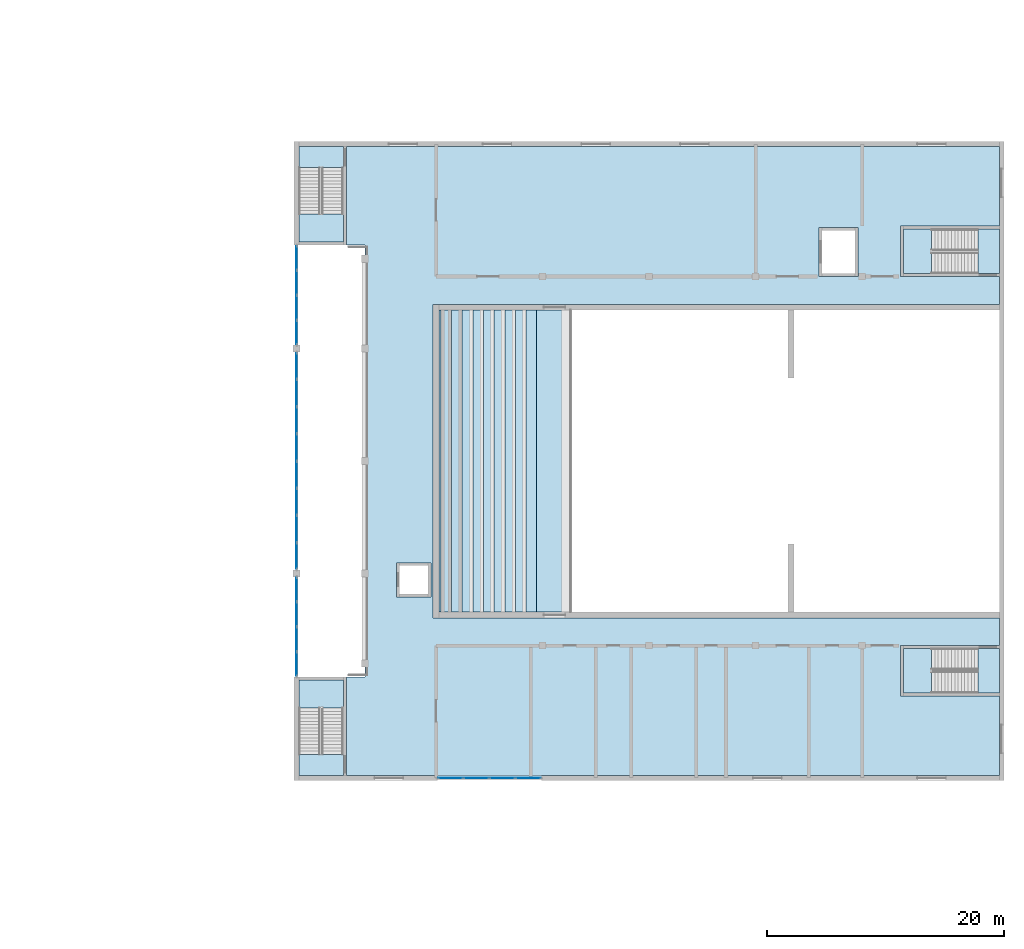
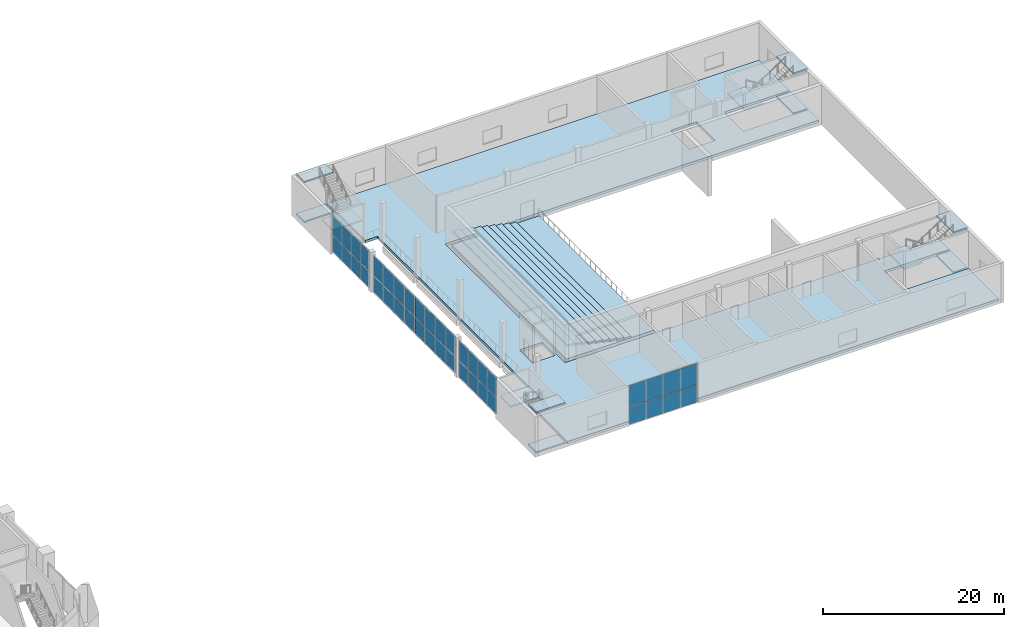
# One storey, part 14 of 43: 40 plates, 23 slabs, 8 elements without a shape of their own.
"""IFC4 building model written with IfcOpenShell, lengths in metres."""

from ifc_helpers import new_model, si_unit, direction, frame, origin, origin_2d, place, context, subcontext, project, spatial, polyline, rectangle, outline, extrude, material, layer, layer_set, type_object, element, aggregate, save


model = new_model("IFC4")

# Units and contexts
model_context = context("Model", 3, precision=1e-05, world=origin(), true_north=direction((0.0, 1.0)))
body_context = subcontext(model_context, "Body", "Model", "MODEL_VIEW")
ifc_project = project(units=[si_unit("LENGTHUNIT", "METRE"), si_unit("AREAUNIT", "SQUARE_METRE"), si_unit("VOLUMEUNIT", "CUBIC_METRE"), si_unit("PLANEANGLEUNIT", "RADIAN"), si_unit("MASSUNIT", "GRAM", prefix="KILO")], contexts=[model_context])

# Site, building, storey
site_placement = place(None, origin())
site = spatial("IfcSite", under=ifc_project, at=site_placement, CompositionType="ELEMENT")
building_placement = place(site_placement, origin())
building = spatial("IfcBuilding", under=site, at=building_placement, Name="Hunhe Ridgeline Campus", CompositionType="ELEMENT")
storey_placement = place(building_placement, frame((0.0, 0.0, 11.39990234375)))
storey = spatial("IfcBuildingStorey", under=building, at=storey_placement, Name="L02", CompositionType="ELEMENT", Elevation=11.39990234375)

# Curtain wall, plates
ifc_material_1 = material(Name="Aluminium and glass", Category="aluminium")
curtain_wall_type = type_object("IfcCurtainWallType", Name="Hall foyer curtain wall CW-H", PredefinedType="NOTDEFINED", material=ifc_material_1)
curtain_wall_1_placement = place(storey_placement, origin())
curtain_wall_1 = element("IfcCurtainWall", 1, at=curtain_wall_1_placement, inside=storey, type_object=curtain_wall_type, Name="L02 foyer curtain wall 7", PredefinedType="NOTDEFINED")
ifc_material_2 = material(Name="Clear glass", Category="glass")
ifc_layer_1 = layer(ifc_material_2, 0.031982421875)
ifc_layer_set_1 = layer_set([ifc_layer_1], Name="CW-H clear glass panel 32")
plate_type = type_object("IfcPlateType", Name="CW-H clear glass panel 32", PredefinedType="CURTAIN_PANEL", material=ifc_layer_set_1)
plate_1_placement = place(storey_placement, frame((150.199951171875, 32.326171875, 0.080078125), z_axis=(0.0, 0.0, 1.0), x_axis=(0.0, 1.0, 0.0)))
plate_1 = element("IfcPlate", 2, at=plate_1_placement, type_object=plate_type, Name="HCW1 panel 1.1", PredefinedType="CURTAIN_PANEL", context=body_context, shape_type="SweptSolid", body=[
    extrude(rectangle(XDim=1.992431640625, YDim=0.028076171875, at=origin_2d()), origin(), (0.0, 0.0, 1.0), 2.152587890625),
])
plate_2_placement = place(storey_placement, frame((150.199951171875, 32.326171875, 2.3125), z_axis=(0.0, 0.0, 1.0), x_axis=(0.0, 1.0, 0.0)))
plate_2 = element("IfcPlate", 3, at=plate_2_placement, type_object=plate_type, Name="HCW1 panel 1.2", PredefinedType="CURTAIN_PANEL", context=body_context, shape_type="SweptSolid", body=[
    extrude(rectangle(XDim=1.992431640625, YDim=0.028076171875, at=origin_2d()), origin(), (0.0, 0.0, 1.0), 2.657470703125),
])
plate_3_placement = place(storey_placement, frame((150.199951171875, 34.418701171875, 0.080078125), z_axis=(0.0, 0.0, 1.0), x_axis=(0.0, 1.0, 0.0)))
plate_3 = element("IfcPlate", 4, at=plate_3_placement, type_object=plate_type, Name="HCW1 panel 2.1", PredefinedType="CURTAIN_PANEL", context=body_context, shape_type="SweptSolid", body=[
    extrude(rectangle(XDim=2.032470703125, YDim=0.028076171875, at=origin_2d()), origin(), (0.0, 0.0, 1.0), 2.152587890625),
])
plate_4_placement = place(storey_placement, frame((150.199951171875, 34.418701171875, 2.3125), z_axis=(0.0, 0.0, 1.0), x_axis=(0.0, 1.0, 0.0)))
plate_4 = element("IfcPlate", 5, at=plate_4_placement, type_object=plate_type, Name="HCW1 panel 2.2", PredefinedType="CURTAIN_PANEL", context=body_context, shape_type="SweptSolid", body=[
    extrude(rectangle(XDim=2.032470703125, YDim=0.028076171875, at=origin_2d()), origin(), (0.0, 0.0, 1.0), 2.657470703125),
])
plate_5_placement = place(storey_placement, frame((150.199951171875, 36.53125, 0.080078125), z_axis=(0.0, 0.0, 1.0), x_axis=(0.0, 1.0, 0.0)))
plate_5 = element("IfcPlate", 6, at=plate_5_placement, type_object=plate_type, Name="HCW1 panel 3.1", PredefinedType="CURTAIN_PANEL", context=body_context, shape_type="SweptSolid", body=[
    extrude(rectangle(XDim=2.032470703125, YDim=0.028076171875, at=origin_2d()), origin(), (0.0, 0.0, 1.0), 2.152587890625),
])
plate_6_placement = place(storey_placement, frame((150.199951171875, 36.53125, 2.3125), z_axis=(0.0, 0.0, 1.0), x_axis=(0.0, 1.0, 0.0)))
plate_6 = element("IfcPlate", 7, at=plate_6_placement, type_object=plate_type, Name="HCW1 panel 3.2", PredefinedType="CURTAIN_PANEL", context=body_context, shape_type="SweptSolid", body=[
    extrude(rectangle(XDim=2.032470703125, YDim=0.028076171875, at=origin_2d()), origin(), (0.0, 0.0, 1.0), 2.657470703125),
])
plate_7_placement = place(storey_placement, frame((150.199951171875, 38.623779296875, 0.080078125), z_axis=(0.0, 0.0, 1.0), x_axis=(0.0, 1.0, 0.0)))
plate_7 = element("IfcPlate", 8, at=plate_7_placement, type_object=plate_type, Name="HCW1 panel 4.1", PredefinedType="CURTAIN_PANEL", context=body_context, shape_type="SweptSolid", body=[
    extrude(rectangle(XDim=1.992431640625, YDim=0.028076171875, at=origin_2d()), origin(), (0.0, 0.0, 1.0), 2.152587890625),
])
plate_8_placement = place(storey_placement, frame((150.199951171875, 38.623779296875, 2.3125), z_axis=(0.0, 0.0, 1.0), x_axis=(0.0, 1.0, 0.0)))
plate_8 = element("IfcPlate", 9, at=plate_8_placement, type_object=plate_type, Name="HCW1 panel 4.2", PredefinedType="CURTAIN_PANEL", context=body_context, shape_type="SweptSolid", body=[
    extrude(rectangle(XDim=1.992431640625, YDim=0.028076171875, at=origin_2d()), origin(), (0.0, 0.0, 1.0), 2.657470703125),
])
aggregate(curtain_wall_1, [plate_1, plate_2, plate_3, plate_4, plate_5, plate_6, plate_7, plate_8])

curtain_wall_2_placement = place(storey_placement, origin())
curtain_wall_2 = element("IfcCurtainWall", 10, at=curtain_wall_2_placement, inside=storey, type_object=curtain_wall_type, Name="L02 foyer curtain wall 8", PredefinedType="NOTDEFINED")
plate_9_placement = place(storey_placement, frame((150.199951171875, 41.469970703125, 0.080078125), z_axis=(0.0, 0.0, 1.0), x_axis=(0.0, 1.0, 0.0)))
plate_9 = element("IfcPlate", 11, at=plate_9_placement, type_object=plate_type, Name="HCW1 panel 1.1", PredefinedType="CURTAIN_PANEL", context=body_context, shape_type="SweptSolid", body=[
    extrude(rectangle(XDim=2.179931640625, YDim=0.028076171875, at=origin_2d()), origin(), (0.0, 0.0, 1.0), 2.152587890625),
])
plate_10_placement = place(storey_placement, frame((150.199951171875, 41.469970703125, 2.3125), z_axis=(0.0, 0.0, 1.0), x_axis=(0.0, 1.0, 0.0)))
plate_10 = element("IfcPlate", 12, at=plate_10_placement, type_object=plate_type, Name="HCW1 panel 1.2", PredefinedType="CURTAIN_PANEL", context=body_context, shape_type="SweptSolid", body=[
    extrude(rectangle(XDim=2.179931640625, YDim=0.028076171875, at=origin_2d()), origin(), (0.0, 0.0, 1.0), 2.657470703125),
])
plate_11_placement = place(storey_placement, frame((150.199951171875, 43.75, 0.080078125), z_axis=(0.0, 0.0, 1.0), x_axis=(0.0, 1.0, 0.0)))
plate_11 = element("IfcPlate", 13, at=plate_11_placement, type_object=plate_type, Name="HCW1 panel 2.1", PredefinedType="CURTAIN_PANEL", context=body_context, shape_type="SweptSolid", body=[
    extrude(rectangle(XDim=2.219970703125, YDim=0.028076171875, at=origin_2d()), origin(), (0.0, 0.0, 1.0), 2.152587890625),
])
plate_12_placement = place(storey_placement, frame((150.199951171875, 43.75, 2.3125), z_axis=(0.0, 0.0, 1.0), x_axis=(0.0, 1.0, 0.0)))
plate_12 = element("IfcPlate", 14, at=plate_12_placement, type_object=plate_type, Name="HCW1 panel 2.2", PredefinedType="CURTAIN_PANEL", context=body_context, shape_type="SweptSolid", body=[
    extrude(rectangle(XDim=2.219970703125, YDim=0.028076171875, at=origin_2d()), origin(), (0.0, 0.0, 1.0), 2.657470703125),
])
plate_13_placement = place(storey_placement, frame((150.199951171875, 46.050048828125, 0.080078125), z_axis=(0.0, 0.0, 1.0), x_axis=(0.0, 1.0, 0.0)))
plate_13 = element("IfcPlate", 15, at=plate_13_placement, type_object=plate_type, Name="HCW1 panel 3.1", PredefinedType="CURTAIN_PANEL", context=body_context, shape_type="SweptSolid", body=[
    extrude(rectangle(XDim=2.219970703125, YDim=0.028076171875, at=origin_2d()), origin(), (0.0, 0.0, 1.0), 2.152587890625),
])
plate_14_placement = place(storey_placement, frame((150.199951171875, 46.050048828125, 2.3125), z_axis=(0.0, 0.0, 1.0), x_axis=(0.0, 1.0, 0.0)))
plate_14 = element("IfcPlate", 16, at=plate_14_placement, type_object=plate_type, Name="HCW1 panel 3.2", PredefinedType="CURTAIN_PANEL", context=body_context, shape_type="SweptSolid", body=[
    extrude(rectangle(XDim=2.219970703125, YDim=0.028076171875, at=origin_2d()), origin(), (0.0, 0.0, 1.0), 2.657470703125),
])
plate_15_placement = place(storey_placement, frame((150.199951171875, 48.35009765625, 0.080078125), z_axis=(0.0, 0.0, 1.0), x_axis=(0.0, 1.0, 0.0)))
plate_15 = element("IfcPlate", 17, at=plate_15_placement, type_object=plate_type, Name="HCW1 panel 4.1", PredefinedType="CURTAIN_PANEL", context=body_context, shape_type="SweptSolid", body=[
    extrude(rectangle(XDim=2.219970703125, YDim=0.028076171875, at=origin_2d()), origin(), (0.0, 0.0, 1.0), 2.152587890625),
])
plate_16_placement = place(storey_placement, frame((150.199951171875, 48.35009765625, 2.3125), z_axis=(0.0, 0.0, 1.0), x_axis=(0.0, 1.0, 0.0)))
plate_16 = element("IfcPlate", 18, at=plate_16_placement, type_object=plate_type, Name="HCW1 panel 4.2", PredefinedType="CURTAIN_PANEL", context=body_context, shape_type="SweptSolid", body=[
    extrude(rectangle(XDim=2.219970703125, YDim=0.028076171875, at=origin_2d()), origin(), (0.0, 0.0, 1.0), 2.657470703125),
])
plate_17_placement = place(storey_placement, frame((150.199951171875, 50.64990234375, 0.080078125), z_axis=(0.0, 0.0, 1.0), x_axis=(0.0, 1.0, 0.0)))
plate_17 = element("IfcPlate", 19, at=plate_17_placement, type_object=plate_type, Name="HCW1 panel 5.1", PredefinedType="CURTAIN_PANEL", context=body_context, shape_type="SweptSolid", body=[
    extrude(rectangle(XDim=2.219970703125, YDim=0.028076171875, at=origin_2d()), origin(), (0.0, 0.0, 1.0), 2.152587890625),
])
plate_18_placement = place(storey_placement, frame((150.199951171875, 50.64990234375, 2.3125), z_axis=(0.0, 0.0, 1.0), x_axis=(0.0, 1.0, 0.0)))
plate_18 = element("IfcPlate", 20, at=plate_18_placement, type_object=plate_type, Name="HCW1 panel 5.2", PredefinedType="CURTAIN_PANEL", context=body_context, shape_type="SweptSolid", body=[
    extrude(rectangle(XDim=2.219970703125, YDim=0.028076171875, at=origin_2d()), origin(), (0.0, 0.0, 1.0), 2.657470703125),
])
plate_19_placement = place(storey_placement, frame((150.199951171875, 52.949951171875, 0.080078125), z_axis=(0.0, 0.0, 1.0), x_axis=(0.0, 1.0, 0.0)))
plate_19 = element("IfcPlate", 21, at=plate_19_placement, type_object=plate_type, Name="HCW1 panel 6.1", PredefinedType="CURTAIN_PANEL", context=body_context, shape_type="SweptSolid", body=[
    extrude(rectangle(XDim=2.219970703125, YDim=0.028076171875, at=origin_2d()), origin(), (0.0, 0.0, 1.0), 2.152587890625),
])
plate_20_placement = place(storey_placement, frame((150.199951171875, 52.949951171875, 2.3125), z_axis=(0.0, 0.0, 1.0), x_axis=(0.0, 1.0, 0.0)))
plate_20 = element("IfcPlate", 22, at=plate_20_placement, type_object=plate_type, Name="HCW1 panel 6.2", PredefinedType="CURTAIN_PANEL", context=body_context, shape_type="SweptSolid", body=[
    extrude(rectangle(XDim=2.219970703125, YDim=0.028076171875, at=origin_2d()), origin(), (0.0, 0.0, 1.0), 2.657470703125),
])
plate_21_placement = place(storey_placement, frame((150.199951171875, 55.25, 0.080078125), z_axis=(0.0, 0.0, 1.0), x_axis=(0.0, 1.0, 0.0)))
plate_21 = element("IfcPlate", 23, at=plate_21_placement, type_object=plate_type, Name="HCW1 panel 7.1", PredefinedType="CURTAIN_PANEL", context=body_context, shape_type="SweptSolid", body=[
    extrude(rectangle(XDim=2.219970703125, YDim=0.028076171875, at=origin_2d()), origin(), (0.0, 0.0, 1.0), 2.152587890625),
])
plate_22_placement = place(storey_placement, frame((150.199951171875, 55.25, 2.3125), z_axis=(0.0, 0.0, 1.0), x_axis=(0.0, 1.0, 0.0)))
plate_22 = element("IfcPlate", 24, at=plate_22_placement, type_object=plate_type, Name="HCW1 panel 7.2", PredefinedType="CURTAIN_PANEL", context=body_context, shape_type="SweptSolid", body=[
    extrude(rectangle(XDim=2.219970703125, YDim=0.028076171875, at=origin_2d()), origin(), (0.0, 0.0, 1.0), 2.657470703125),
])
plate_23_placement = place(storey_placement, frame((150.199951171875, 57.530029296875, 0.080078125), z_axis=(0.0, 0.0, 1.0), x_axis=(0.0, 1.0, 0.0)))
plate_23 = element("IfcPlate", 25, at=plate_23_placement, type_object=plate_type, Name="HCW1 panel 8.1", PredefinedType="CURTAIN_PANEL", context=body_context, shape_type="SweptSolid", body=[
    extrude(rectangle(XDim=2.179931640625, YDim=0.028076171875, at=origin_2d()), origin(), (0.0, 0.0, 1.0), 2.152587890625),
])
plate_24_placement = place(storey_placement, frame((150.199951171875, 57.530029296875, 2.3125), z_axis=(0.0, 0.0, 1.0), x_axis=(0.0, 1.0, 0.0)))
plate_24 = element("IfcPlate", 26, at=plate_24_placement, type_object=plate_type, Name="HCW1 panel 8.2", PredefinedType="CURTAIN_PANEL", context=body_context, shape_type="SweptSolid", body=[
    extrude(rectangle(XDim=2.179931640625, YDim=0.028076171875, at=origin_2d()), origin(), (0.0, 0.0, 1.0), 2.657470703125),
])
aggregate(curtain_wall_2, [plate_9, plate_10, plate_11, plate_12, plate_13, plate_14, plate_15, plate_16, plate_17, plate_18, plate_19, plate_20, plate_21, plate_22, plate_23, plate_24])

curtain_wall_3_placement = place(storey_placement, origin())
curtain_wall_3 = element("IfcCurtainWall", 27, at=curtain_wall_3_placement, inside=storey, type_object=curtain_wall_type, Name="L02 foyer curtain wall 9", PredefinedType="NOTDEFINED")
plate_25_placement = place(storey_placement, frame((150.199951171875, 60.376220703125, 0.080078125), z_axis=(0.0, 0.0, 1.0), x_axis=(0.0, 1.0, 0.0)))
plate_25 = element("IfcPlate", 28, at=plate_25_placement, type_object=plate_type, Name="HCW1 panel 1.1", PredefinedType="CURTAIN_PANEL", context=body_context, shape_type="SweptSolid", body=[
    extrude(rectangle(XDim=1.992431640625, YDim=0.028076171875, at=origin_2d()), origin(), (0.0, 0.0, 1.0), 2.152587890625),
])
plate_26_placement = place(storey_placement, frame((150.199951171875, 60.376220703125, 2.3125), z_axis=(0.0, 0.0, 1.0), x_axis=(0.0, 1.0, 0.0)))
plate_26 = element("IfcPlate", 29, at=plate_26_placement, type_object=plate_type, Name="HCW1 panel 1.2", PredefinedType="CURTAIN_PANEL", context=body_context, shape_type="SweptSolid", body=[
    extrude(rectangle(XDim=1.992431640625, YDim=0.028076171875, at=origin_2d()), origin(), (0.0, 0.0, 1.0), 2.657470703125),
])
plate_27_placement = place(storey_placement, frame((150.199951171875, 62.46875, 0.080078125), z_axis=(0.0, 0.0, 1.0), x_axis=(0.0, 1.0, 0.0)))
plate_27 = element("IfcPlate", 30, at=plate_27_placement, type_object=plate_type, Name="HCW1 panel 2.1", PredefinedType="CURTAIN_PANEL", context=body_context, shape_type="SweptSolid", body=[
    extrude(rectangle(XDim=2.032470703125, YDim=0.028076171875, at=origin_2d()), origin(), (0.0, 0.0, 1.0), 2.152587890625),
])
plate_28_placement = place(storey_placement, frame((150.199951171875, 62.46875, 2.3125), z_axis=(0.0, 0.0, 1.0), x_axis=(0.0, 1.0, 0.0)))
plate_28 = element("IfcPlate", 31, at=plate_28_placement, type_object=plate_type, Name="HCW1 panel 2.2", PredefinedType="CURTAIN_PANEL", context=body_context, shape_type="SweptSolid", body=[
    extrude(rectangle(XDim=2.032470703125, YDim=0.028076171875, at=origin_2d()), origin(), (0.0, 0.0, 1.0), 2.657470703125),
])
plate_29_placement = place(storey_placement, frame((150.199951171875, 64.581298828125, 0.080078125), z_axis=(0.0, 0.0, 1.0), x_axis=(0.0, 1.0, 0.0)))
plate_29 = element("IfcPlate", 32, at=plate_29_placement, type_object=plate_type, Name="HCW1 panel 3.1", PredefinedType="CURTAIN_PANEL", context=body_context, shape_type="SweptSolid", body=[
    extrude(rectangle(XDim=2.032470703125, YDim=0.028076171875, at=origin_2d()), origin(), (0.0, 0.0, 1.0), 2.152587890625),
])
plate_30_placement = place(storey_placement, frame((150.199951171875, 64.581298828125, 2.3125), z_axis=(0.0, 0.0, 1.0), x_axis=(0.0, 1.0, 0.0)))
plate_30 = element("IfcPlate", 33, at=plate_30_placement, type_object=plate_type, Name="HCW1 panel 3.2", PredefinedType="CURTAIN_PANEL", context=body_context, shape_type="SweptSolid", body=[
    extrude(rectangle(XDim=2.032470703125, YDim=0.028076171875, at=origin_2d()), origin(), (0.0, 0.0, 1.0), 2.657470703125),
])
plate_31_placement = place(storey_placement, frame((150.199951171875, 66.673828125, 0.080078125), z_axis=(0.0, 0.0, 1.0), x_axis=(0.0, 1.0, 0.0)))
plate_31 = element("IfcPlate", 34, at=plate_31_placement, type_object=plate_type, Name="HCW1 panel 4.1", PredefinedType="CURTAIN_PANEL", context=body_context, shape_type="SweptSolid", body=[
    extrude(rectangle(XDim=1.992431640625, YDim=0.028076171875, at=origin_2d()), origin(), (0.0, 0.0, 1.0), 2.152587890625),
])
plate_32_placement = place(storey_placement, frame((150.199951171875, 66.673828125, 2.3125), z_axis=(0.0, 0.0, 1.0), x_axis=(0.0, 1.0, 0.0)))
plate_32 = element("IfcPlate", 35, at=plate_32_placement, type_object=plate_type, Name="HCW1 panel 4.2", PredefinedType="CURTAIN_PANEL", context=body_context, shape_type="SweptSolid", body=[
    extrude(rectangle(XDim=1.992431640625, YDim=0.028076171875, at=origin_2d()), origin(), (0.0, 0.0, 1.0), 2.657470703125),
])
aggregate(curtain_wall_3, [plate_25, plate_26, plate_27, plate_28, plate_29, plate_30, plate_31, plate_32])

curtain_wall_4_placement = place(storey_placement, origin())
curtain_wall_4 = element("IfcCurtainWall", 36, at=curtain_wall_4_placement, inside=storey, type_object=curtain_wall_type, Name="L02 south curtain wall 10", PredefinedType="NOTDEFINED")
plate_33_placement = place(storey_placement, frame((163.219970703125, 22.699951171875, -0.27001953125), z_axis=(0.0, 0.0, 1.0), x_axis=(1.0, 0.0, 0.0)))
plate_33 = element("IfcPlate", 37, at=plate_33_placement, type_object=plate_type, Name="HCW1 panel 1.1", PredefinedType="CURTAIN_PANEL", context=body_context, shape_type="SweptSolid", body=[
    extrude(rectangle(XDim=2.080078125, YDim=0.028076171875, at=origin_2d()), origin(), (0.0, 0.0, 1.0), 2.31005859375),
])
plate_34_placement = place(storey_placement, frame((163.219970703125, 22.699951171875, 2.1201171875), z_axis=(0.0, 0.0, 1.0), x_axis=(1.0, 0.0, 0.0)))
plate_34 = element("IfcPlate", 38, at=plate_34_placement, type_object=plate_type, Name="HCW1 panel 1.2", PredefinedType="CURTAIN_PANEL", context=body_context, shape_type="SweptSolid", body=[
    extrude(rectangle(XDim=2.080078125, YDim=0.028076171875, at=origin_2d()), origin(), (0.0, 0.0, 1.0), 2.85009765625),
])
plate_35_placement = place(storey_placement, frame((165.39990234375, 22.699951171875, -0.27001953125), z_axis=(0.0, 0.0, 1.0), x_axis=(1.0, 0.0, 0.0)))
plate_35 = element("IfcPlate", 39, at=plate_35_placement, type_object=plate_type, Name="HCW1 panel 2.1", PredefinedType="CURTAIN_PANEL", context=body_context, shape_type="SweptSolid", body=[
    extrude(rectangle(XDim=2.1201171875, YDim=0.028076171875, at=origin_2d()), origin(), (0.0, 0.0, 1.0), 2.31005859375),
])
plate_36_placement = place(storey_placement, frame((165.39990234375, 22.699951171875, 2.1201171875), z_axis=(0.0, 0.0, 1.0), x_axis=(1.0, 0.0, 0.0)))
plate_36 = element("IfcPlate", 40, at=plate_36_placement, type_object=plate_type, Name="HCW1 panel 2.2", PredefinedType="CURTAIN_PANEL", context=body_context, shape_type="SweptSolid", body=[
    extrude(rectangle(XDim=2.1201171875, YDim=0.028076171875, at=origin_2d()), origin(), (0.0, 0.0, 1.0), 2.85009765625),
])
plate_37_placement = place(storey_placement, frame((167.60009765625, 22.699951171875, -0.27001953125), z_axis=(0.0, 0.0, 1.0), x_axis=(1.0, 0.0, 0.0)))
plate_37 = element("IfcPlate", 41, at=plate_37_placement, type_object=plate_type, Name="HCW1 panel 3.1", PredefinedType="CURTAIN_PANEL", context=body_context, shape_type="SweptSolid", body=[
    extrude(rectangle(XDim=2.1201171875, YDim=0.028076171875, at=origin_2d()), origin(), (0.0, 0.0, 1.0), 2.31005859375),
])
plate_38_placement = place(storey_placement, frame((167.60009765625, 22.699951171875, 2.1201171875), z_axis=(0.0, 0.0, 1.0), x_axis=(1.0, 0.0, 0.0)))
plate_38 = element("IfcPlate", 42, at=plate_38_placement, type_object=plate_type, Name="HCW1 panel 3.2", PredefinedType="CURTAIN_PANEL", context=body_context, shape_type="SweptSolid", body=[
    extrude(rectangle(XDim=2.1201171875, YDim=0.028076171875, at=origin_2d()), origin(), (0.0, 0.0, 1.0), 2.85009765625),
])
plate_39_placement = place(storey_placement, frame((169.780029296875, 22.699951171875, -0.27001953125), z_axis=(0.0, 0.0, 1.0), x_axis=(1.0, 0.0, 0.0)))
plate_39 = element("IfcPlate", 43, at=plate_39_placement, type_object=plate_type, Name="HCW1 panel 4.1", PredefinedType="CURTAIN_PANEL", context=body_context, shape_type="SweptSolid", body=[
    extrude(rectangle(XDim=2.080078125, YDim=0.028076171875, at=origin_2d()), origin(), (0.0, 0.0, 1.0), 2.31005859375),
])
plate_40_placement = place(storey_placement, frame((169.780029296875, 22.699951171875, 2.1201171875), z_axis=(0.0, 0.0, 1.0), x_axis=(1.0, 0.0, 0.0)))
plate_40 = element("IfcPlate", 44, at=plate_40_placement, type_object=plate_type, Name="HCW1 panel 4.2", PredefinedType="CURTAIN_PANEL", context=body_context, shape_type="SweptSolid", body=[
    extrude(rectangle(XDim=2.080078125, YDim=0.028076171875, at=origin_2d()), origin(), (0.0, 0.0, 1.0), 2.85009765625),
])
aggregate(curtain_wall_4, [plate_33, plate_34, plate_35, plate_36, plate_37, plate_38, plate_39, plate_40])

# Slabs
ifc_material_3 = material(Name="Concrete C40", Category="concrete")
ifc_layer_2 = layer(ifc_material_3, 0.449951171875)
ifc_layer_set_2 = layer_set([ifc_layer_2], Name="Circle tier slab 450 C40")
slab_type_1 = type_object("IfcSlabType", Name="Circle tier slab 450 C40", PredefinedType="FLOOR", material=ifc_layer_set_2)
slab_1_placement = place(storey_placement, frame((0.0, 0.0, -0.449951171875)))
element("IfcSlab", 45, at=slab_1_placement, inside=storey, type_object=slab_type_1, Name="Circle tier 2 slab", PredefinedType="FLOOR", context=body_context, shape_type="SweptSolid", body=[
    extrude(outline(polyline([(173.5, 36.75), (173.5, 62.25), (162.25, 62.25), (162.25, 36.75), (173.5, 36.75)])), origin(), (0.0, 0.0, 1.0), 0.449951171875),
])
ifc_layer_3 = layer(ifc_material_3, 0.35009765625)
ifc_layer_set_3 = layer_set([ifc_layer_3], Name="Hall floor slab 350 C40")
slab_type_2 = type_object("IfcSlabType", Name="Hall floor slab 350 C40", PredefinedType="FLOOR", material=ifc_layer_set_3)
slab_2_placement = place(storey_placement, frame((0.0, 0.0, -0.349853515625)))
element("IfcSlab", 46, at=slab_2_placement, inside=storey, type_object=slab_type_2, Name="Hall L02 floor slab 1", PredefinedType="FLOOR", context=body_context, shape_type="SweptSolid", body=[
    extrude(outline(polyline([(154.39990234375, 76.10009765625), (154.39990234375, 67.75), (156.0, 67.75), (156.0, 31.25), (154.39990234375, 31.25), (154.39990234375, 22.89990234375), (209.60009765625, 22.89990234375), (209.60009765625, 29.64990234375), (201.25, 29.64990234375), (201.25, 33.89990234375), (209.60009765625, 33.89990234375), (209.60009765625, 36.25), (161.75, 36.25), (161.75, 62.75), (209.60009765625, 62.75), (209.60009765625, 65.10009765625), (201.25, 65.10009765625), (201.25, 69.35009765625), (209.60009765625, 69.35009765625), (209.60009765625, 76.10009765625), (154.39990234375, 76.10009765625)]), holes=[polyline([(158.64990234375, 40.89990234375), (158.64990234375, 38.0), (161.550048828125, 38.0), (161.550048828125, 40.89990234375), (158.64990234375, 40.89990234375)]), polyline([(194.35009765625, 69.25), (194.35009765625, 65.10009765625), (197.64990234375, 65.10009765625), (197.64990234375, 69.25), (194.35009765625, 69.25)])]), origin(), (0.0, 0.0, 1.0), 0.349853515625),
])

# Stair, slabs
stair_type = type_object("IfcStairType", Name="Hall exit stair 1800", PredefinedType="HALF_TURN_STAIR", material=ifc_material_3)
stair_1_placement = place(storey_placement, origin())
stair_1 = element("IfcStair", 47, at=stair_1_placement, inside=storey, type_object=stair_type, Name="L02 hall stair HS1", PredefinedType="HALF_TURN_STAIR")
ifc_layer_4 = layer(ifc_material_3, 0.199951171875)
ifc_layer_set_4 = layer_set([ifc_layer_4], Name="Hall stair landing 200 C40")
slab_type_3 = type_object("IfcSlabType", Name="Hall stair landing 200 C40", PredefinedType="LANDING", material=ifc_layer_set_4)
slab_3_placement = place(storey_placement, frame((0.0, 0.0, 2.5)))
slab_3 = element("IfcSlab", 48, at=slab_3_placement, type_object=slab_type_3, Name="HS1 landing 1", PredefinedType="LANDING", context=body_context, shape_type="SweptSolid", body=[
    extrude(outline(polyline([(154.14990234375, 28.6201171875), (154.14990234375, 31.0), (150.39990234375, 31.0), (150.39990234375, 28.6201171875), (154.14990234375, 28.6201171875)])), origin(), (0.0, 0.0, 1.0), 0.2001953125),
])
slab_4_placement = place(storey_placement, frame((0.0, 0.0, -0.199951171875)))
slab_4 = element("IfcSlab", 49, at=slab_4_placement, type_object=slab_type_3, Name="HS1 landing 2", PredefinedType="LANDING", context=body_context, shape_type="SweptSolid", body=[
    extrude(outline(polyline([(154.14990234375, 22.89990234375), (154.14990234375, 24.699951171875), (150.39990234375, 24.699951171875), (150.39990234375, 22.89990234375), (154.14990234375, 22.89990234375)])), origin(), (0.0, 0.0, 1.0), 0.199951171875),
])
slab_5_placement = place(storey_placement, frame((0.0, 0.0, 5.2001953125)))
slab_5 = element("IfcSlab", 50, at=slab_5_placement, type_object=slab_type_3, Name="HS1 landing 3", PredefinedType="LANDING", context=body_context, shape_type="SweptSolid", body=[
    extrude(outline(polyline([(154.14990234375, 22.89990234375), (154.14990234375, 24.699951171875), (150.39990234375, 24.699951171875), (150.39990234375, 22.89990234375), (154.14990234375, 22.89990234375)])), origin(), (0.0, 0.0, 1.0), 0.199951171875),
])
aggregate(stair_1, [slab_3, slab_4, slab_5])

stair_2_placement = place(storey_placement, origin())
stair_2 = element("IfcStair", 51, at=stair_2_placement, inside=storey, type_object=stair_type, Name="L02 hall stair HS2", PredefinedType="HALF_TURN_STAIR")
slab_6_placement = place(storey_placement, frame((0.0, 0.0, 2.5)))
slab_6 = element("IfcSlab", 52, at=slab_6_placement, type_object=slab_type_3, Name="HS2 landing 1", PredefinedType="LANDING", context=body_context, shape_type="SweptSolid", body=[
    extrude(outline(polyline([(150.39990234375, 70.3798828125), (150.39990234375, 68.0), (154.14990234375, 68.0), (154.14990234375, 70.3798828125), (150.39990234375, 70.3798828125)])), origin(), (0.0, 0.0, 1.0), 0.2001953125),
])
slab_7_placement = place(storey_placement, frame((0.0, 0.0, -0.199951171875)))
slab_7 = element("IfcSlab", 53, at=slab_7_placement, type_object=slab_type_3, Name="HS2 landing 2", PredefinedType="LANDING", context=body_context, shape_type="SweptSolid", body=[
    extrude(outline(polyline([(150.39990234375, 76.10009765625), (150.39990234375, 74.300048828125), (154.14990234375, 74.300048828125), (154.14990234375, 76.10009765625), (150.39990234375, 76.10009765625)])), origin(), (0.0, 0.0, 1.0), 0.199951171875),
])
slab_8_placement = place(storey_placement, frame((0.0, 0.0, 5.2001953125)))
slab_8 = element("IfcSlab", 54, at=slab_8_placement, type_object=slab_type_3, Name="HS2 landing 3", PredefinedType="LANDING", context=body_context, shape_type="SweptSolid", body=[
    extrude(outline(polyline([(150.39990234375, 76.10009765625), (150.39990234375, 74.300048828125), (154.14990234375, 74.300048828125), (154.14990234375, 76.10009765625), (150.39990234375, 76.10009765625)])), origin(), (0.0, 0.0, 1.0), 0.199951171875),
])
aggregate(stair_2, [slab_6, slab_7, slab_8])

stair_3_placement = place(storey_placement, origin())
stair_3 = element("IfcStair", 55, at=stair_3_placement, inside=storey, type_object=stair_type, Name="L02 hall stair HS3", PredefinedType="HALF_TURN_STAIR")
slab_9_placement = place(storey_placement, frame((0.0, 0.0, 2.5)))
slab_9 = element("IfcSlab", 56, at=slab_9_placement, type_object=slab_type_3, Name="HS3 landing 1", PredefinedType="LANDING", context=body_context, shape_type="SweptSolid", body=[
    extrude(outline(polyline([(203.8798828125, 33.64990234375), (201.5, 33.64990234375), (201.5, 29.89990234375), (203.8798828125, 29.89990234375), (203.8798828125, 33.64990234375)])), origin(), (0.0, 0.0, 1.0), 0.2001953125),
])
slab_10_placement = place(storey_placement, frame((0.0, 0.0, -0.199951171875)))
slab_10 = element("IfcSlab", 57, at=slab_10_placement, type_object=slab_type_3, Name="HS3 landing 2", PredefinedType="LANDING", context=body_context, shape_type="SweptSolid", body=[
    extrude(outline(polyline([(209.60009765625, 33.64990234375), (207.800048828125, 33.64990234375), (207.800048828125, 29.89990234375), (209.60009765625, 29.89990234375), (209.60009765625, 33.64990234375)])), origin(), (0.0, 0.0, 1.0), 0.199951171875),
])
slab_11_placement = place(storey_placement, frame((0.0, 0.0, 5.2001953125)))
slab_11 = element("IfcSlab", 58, at=slab_11_placement, type_object=slab_type_3, Name="HS3 landing 3", PredefinedType="LANDING", context=body_context, shape_type="SweptSolid", body=[
    extrude(outline(polyline([(209.60009765625, 33.64990234375), (207.800048828125, 33.64990234375), (207.800048828125, 29.89990234375), (209.60009765625, 29.89990234375), (209.60009765625, 33.64990234375)])), origin(), (0.0, 0.0, 1.0), 0.199951171875),
])
aggregate(stair_3, [slab_9, slab_10, slab_11])

stair_4_placement = place(storey_placement, origin())
stair_4 = element("IfcStair", 59, at=stair_4_placement, inside=storey, type_object=stair_type, Name="L02 hall stair HS4", PredefinedType="HALF_TURN_STAIR")
slab_12_placement = place(storey_placement, frame((0.0, 0.0, 2.5)))
slab_12 = element("IfcSlab", 60, at=slab_12_placement, type_object=slab_type_3, Name="HS4 landing 1", PredefinedType="LANDING", context=body_context, shape_type="SweptSolid", body=[
    extrude(outline(polyline([(203.8798828125, 69.10009765625), (201.5, 69.10009765625), (201.5, 65.35009765625), (203.8798828125, 65.35009765625), (203.8798828125, 69.10009765625)])), origin(), (0.0, 0.0, 1.0), 0.2001953125),
])
slab_13_placement = place(storey_placement, frame((0.0, 0.0, -0.199951171875)))
slab_13 = element("IfcSlab", 61, at=slab_13_placement, type_object=slab_type_3, Name="HS4 landing 2", PredefinedType="LANDING", context=body_context, shape_type="SweptSolid", body=[
    extrude(outline(polyline([(209.60009765625, 69.10009765625), (207.800048828125, 69.10009765625), (207.800048828125, 65.35009765625), (209.60009765625, 65.35009765625), (209.60009765625, 69.10009765625)])), origin(), (0.0, 0.0, 1.0), 0.199951171875),
])
slab_14_placement = place(storey_placement, frame((0.0, 0.0, 5.2001953125)))
slab_14 = element("IfcSlab", 62, at=slab_14_placement, type_object=slab_type_3, Name="HS4 landing 3", PredefinedType="LANDING", context=body_context, shape_type="SweptSolid", body=[
    extrude(outline(polyline([(209.60009765625, 69.10009765625), (207.800048828125, 69.10009765625), (207.800048828125, 65.35009765625), (209.60009765625, 65.35009765625), (209.60009765625, 69.10009765625)])), origin(), (0.0, 0.0, 1.0), 0.199951171875),
])
aggregate(stair_4, [slab_12, slab_13, slab_14])

# Slabs
ifc_material_4 = material(Name="Concrete C30", Category="concrete")
ifc_layer_5 = layer(ifc_material_4, 0.22509765625)
ifc_layer_set_5 = layer_set([ifc_layer_5], Name="Raked seating platform 225 C30")
slab_type_4 = type_object("IfcSlabType", Name="Raked seating platform 225 C30", PredefinedType="FLOOR", material=ifc_layer_set_5)
slab_15_placement = place(storey_placement, origin())
element("IfcSlab", 63, at=slab_15_placement, inside=storey, type_object=slab_type_4, Name="Circle 2 seating step 1", PredefinedType="FLOOR", context=body_context, shape_type="SweptSolid", body=[
    extrude(outline(polyline([(170.5, 36.75), (170.5, 62.25), (169.60009765625, 62.25), (169.60009765625, 36.75), (170.5, 36.75)])), origin(), (0.0, 0.0, 1.0), 0.22509765625),
])
slab_16_placement = place(storey_placement, frame((0.0, 0.0, 0.2001953125)))
element("IfcSlab", 64, at=slab_16_placement, inside=storey, type_object=slab_type_4, Name="Circle 2 seating step 2", PredefinedType="FLOOR", context=body_context, shape_type="SweptSolid", body=[
    extrude(outline(polyline([(169.60009765625, 36.75), (169.60009765625, 62.25), (168.699951171875, 62.25), (168.699951171875, 36.75), (169.60009765625, 36.75)])), origin(), (0.0, 0.0, 1.0), 0.224853515625),
])
slab_17_placement = place(storey_placement, frame((0.0, 0.0, 0.400146484375)))
element("IfcSlab", 65, at=slab_17_placement, inside=storey, type_object=slab_type_4, Name="Circle 2 seating step 3", PredefinedType="FLOOR", context=body_context, shape_type="SweptSolid", body=[
    extrude(outline(polyline([(168.699951171875, 36.75), (168.699951171875, 62.25), (167.800048828125, 62.25), (167.800048828125, 36.75), (168.699951171875, 36.75)])), origin(), (0.0, 0.0, 1.0), 0.224853515625),
])
slab_18_placement = place(storey_placement, frame((0.0, 0.0, 0.60009765625)))
element("IfcSlab", 66, at=slab_18_placement, inside=storey, type_object=slab_type_4, Name="Circle 2 seating step 4", PredefinedType="FLOOR", context=body_context, shape_type="SweptSolid", body=[
    extrude(outline(polyline([(167.800048828125, 36.75), (167.800048828125, 62.25), (166.89990234375, 62.25), (166.89990234375, 36.75), (167.800048828125, 36.75)])), origin(), (0.0, 0.0, 1.0), 0.22509765625),
])
slab_19_placement = place(storey_placement, frame((0.0, 0.0, 0.800048828125)))
element("IfcSlab", 67, at=slab_19_placement, inside=storey, type_object=slab_type_4, Name="Circle 2 seating step 5", PredefinedType="FLOOR", context=body_context, shape_type="SweptSolid", body=[
    extrude(outline(polyline([(166.89990234375, 36.75), (166.89990234375, 62.25), (166.0, 62.25), (166.0, 36.75), (166.89990234375, 36.75)])), origin(), (0.0, 0.0, 1.0), 0.22509765625),
])
slab_20_placement = place(storey_placement, frame((0.0, 0.0, 1.0)))
element("IfcSlab", 68, at=slab_20_placement, inside=storey, type_object=slab_type_4, Name="Circle 2 seating step 6", PredefinedType="FLOOR", context=body_context, shape_type="SweptSolid", body=[
    extrude(outline(polyline([(166.0, 36.75), (166.0, 62.25), (165.10009765625, 62.25), (165.10009765625, 36.75), (166.0, 36.75)])), origin(), (0.0, 0.0, 1.0), 0.22509765625),
])
slab_21_placement = place(storey_placement, frame((0.0, 0.0, 1.2001953125)))
element("IfcSlab", 69, at=slab_21_placement, inside=storey, type_object=slab_type_4, Name="Circle 2 seating step 7", PredefinedType="FLOOR", context=body_context, shape_type="SweptSolid", body=[
    extrude(outline(polyline([(165.10009765625, 36.75), (165.10009765625, 62.25), (164.199951171875, 62.25), (164.199951171875, 36.75), (165.10009765625, 36.75)])), origin(), (0.0, 0.0, 1.0), 0.224853515625),
])
slab_22_placement = place(storey_placement, frame((0.0, 0.0, 1.400146484375)))
element("IfcSlab", 70, at=slab_22_placement, inside=storey, type_object=slab_type_4, Name="Circle 2 seating step 8", PredefinedType="FLOOR", context=body_context, shape_type="SweptSolid", body=[
    extrude(outline(polyline([(164.199951171875, 36.75), (164.199951171875, 62.25), (163.300048828125, 62.25), (163.300048828125, 36.75), (164.199951171875, 36.75)])), origin(), (0.0, 0.0, 1.0), 0.224853515625),
])
slab_23_placement = place(storey_placement, frame((0.0, 0.0, 1.60009765625)))
element("IfcSlab", 71, at=slab_23_placement, inside=storey, type_object=slab_type_4, Name="Circle 2 seating step 9", PredefinedType="FLOOR", context=body_context, shape_type="SweptSolid", body=[
    extrude(outline(polyline([(163.300048828125, 36.75), (163.300048828125, 62.25), (162.39990234375, 62.25), (162.39990234375, 36.75), (163.300048828125, 36.75)])), origin(), (0.0, 0.0, 1.0), 0.22509765625),
])

save(model, "model.ifc")
